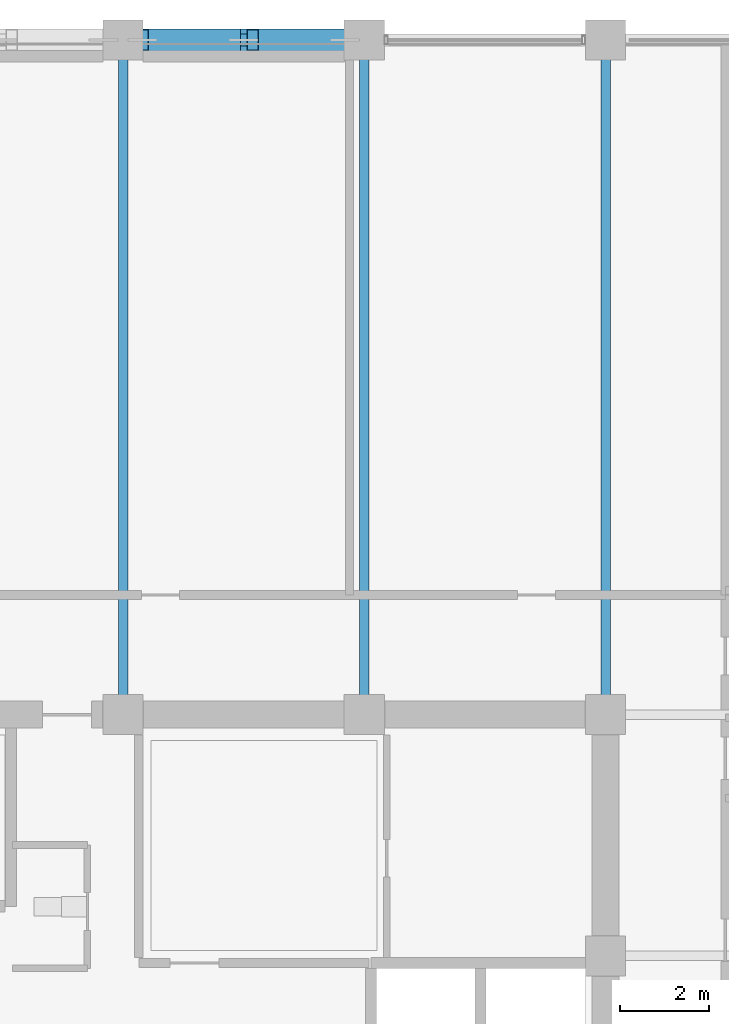
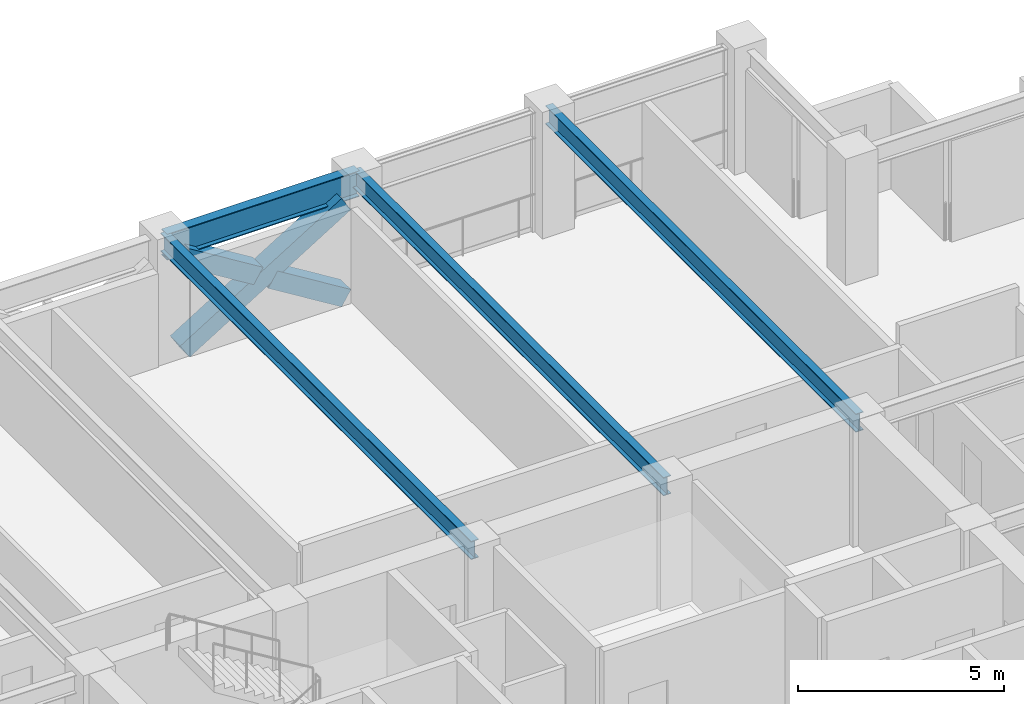
# One storey, part 20 of 36: 4 beams, 3 members.
"""IFC4 building model written with IfcOpenShell, lengths in metres."""

from ifc_helpers import new_model, si_unit, direction, frame, origin, origin_2d, place, context, subcontext, project, spatial, hollow_rectangle, i_section, extrude, material, material_profile, profile_set, type_object, element, save


model = new_model("IFC4")

# Units and contexts
model_context = context("Model", 3, precision=1e-05, world=origin(), true_north=direction((0.0, 1.0)))
body_context = subcontext(model_context, "Body", "Model", "MODEL_VIEW")
ifc_project = project(units=[si_unit("LENGTHUNIT", "METRE"), si_unit("AREAUNIT", "SQUARE_METRE"), si_unit("VOLUMEUNIT", "CUBIC_METRE"), si_unit("PLANEANGLEUNIT", "RADIAN"), si_unit("MASSUNIT", "GRAM", prefix="KILO")], contexts=[model_context])

# Site, building, storey
site_placement = place(None, origin())
site = spatial("IfcSite", under=ifc_project, at=site_placement, CompositionType="ELEMENT")
building_placement = place(site_placement, origin())
building = spatial("IfcBuilding", under=site, at=building_placement, Name="Surkhivell Harbour Commons", CompositionType="ELEMENT")
storey_placement = place(building_placement, frame((0.0, 0.0, 171.0)))
storey = spatial("IfcBuildingStorey", under=building, at=storey_placement, Name="L44", CompositionType="ELEMENT", Elevation=171.0)

# Beams
ifc_material_1 = material(Name="Steel S355", Category="steel")
ifc_material_profile_1 = material_profile(ifc_material_1, i_section(OverallWidth=0.2119140625, OverallDepth=0.5439453125, WebThickness=0.0126953125, FlangeThickness=0.021240234375, at=origin_2d()), Name="UB533x210x122")
ifc_profile_set_1 = profile_set([ifc_material_profile_1], Name="Steel S355")
beam_type_1 = type_object("IfcBeamType", Name="BM-GRD-533A", PredefinedType="BEAM", material=ifc_profile_set_1)
for number, where, z_axis, x_axis, name in (
    (1, (0.0, 10.800048828125, 3.298095703125), (0.0, 1.0, 0.0), (-1.0, 0.0, 0.0), "L44 Floor Girder (0.0,10.8)"),
    (2, (5.39990234375, 10.800048828125, 3.298095703125), (0.0, 1.0, 0.0), (-1.0, 0.0, 0.0), "L44 Floor Girder (5.4,10.8)"),
    (3, (10.800048828125, 10.800048828125, 3.298095703125), (0.0, 1.0, 0.0), (-1.0, 0.0, 0.0), "L44 Floor Girder (10.8,10.8)"),
):
    element("IfcBeam", number, at=place(storey_placement, frame(where, z_axis=z_axis, x_axis=x_axis)), inside=storey, type_object=beam_type_1, Name=name, PredefinedType="BEAM", context=body_context, shape_type="SweptSolid", body=[
        extrude(i_section(OverallWidth=0.2119140625, OverallDepth=0.5439453125, WebThickness=0.0126953125, FlangeThickness=0.021240234375, at=origin_2d()), origin(), (0.0, 0.0, 1.0), 15.099853515625),
    ])
ifc_material_profile_2 = material_profile(ifc_material_1, i_section(OverallWidth=0.26806640625, OverallDepth=0.77001953125, WebThickness=0.015625, FlangeThickness=0.025390625, at=origin_2d()), Name="UB762x267x197")
ifc_profile_set_2 = profile_set([ifc_material_profile_2], Name="Steel S355")
beam_type_2 = type_object("IfcBeamType", Name="BM-SPN-762", PredefinedType="SPANDREL", material=ifc_profile_set_2)
beam_placement = place(storey_placement, frame((0.0, 25.89990234375, 3.18505859375), z_axis=(1.0, 0.0, 0.0), x_axis=(0.0, 1.0, 0.0)))
element("IfcBeam", 4, at=beam_placement, inside=storey, type_object=beam_type_2, Name="L44 Tube Spandrel (-0.0,25.9)", PredefinedType="SPANDREL", context=body_context, shape_type="SweptSolid", body=[
    extrude(i_section(OverallWidth=0.26806640625, OverallDepth=0.77001953125, WebThickness=0.015625, FlangeThickness=0.025390625, at=origin_2d()), origin(), (0.0, 0.0, 1.0), 5.39990234375),
])

# Members
ifc_material_2 = material(Name="Steel S460", Category="steel")
ifc_material_profile_3 = material_profile(ifc_material_2, hollow_rectangle(XDim=0.5, YDim=0.5, WallThickness=0.02490234375, at=origin_2d()), Name="SHS500x500x25")
ifc_profile_set_3 = profile_set([ifc_material_profile_3], Name="Steel S460")
member_type = type_object("IfcMemberType", Name="MEM-BRC-SHS500", PredefinedType="BRACE", material=ifc_profile_set_3)
member_placement = place(storey_placement, frame((0.43505859375, 25.89990234375, 0.008056640625), z_axis=(0.850971032488, 0.0, 0.525212625387), x_axis=(0.0, 1.0, 0.0)))
element("IfcMember", 5, at=member_placement, inside=storey, type_object=member_type, Name="L44 Perimeter Mega-Brace MB- 04", PredefinedType="BRACE", context=body_context, shape_type="SweptSolid", body=[
    extrude(hollow_rectangle(XDim=0.5, YDim=0.5, WallThickness=0.02490234375, at=origin_2d()), origin(), (0.0, 0.0, 1.0), 5.323486328125),
])
for number, where, z_axis, x_axis, name in (
    (6, (4.965087890625, 25.89990234375, 0.008056640625), (-0.8510034189, 0.0, 0.525160147974), (0.0, -1.0, 0.0), "L44 Perimeter Mega-Brace MB- 05"),
    (7, (2.495849609375, 25.89990234375, 1.531982421875), (-0.850958361341, 0.0, 0.525233155146), (0.0, -1.0, 0.0), "L44 Perimeter Mega-Brace MB- 06"),
):
    element("IfcMember", number, at=place(storey_placement, frame(where, z_axis=z_axis, x_axis=x_axis)), inside=storey, type_object=member_type, Name=name, PredefinedType="BRACE", context=body_context, shape_type="SweptSolid", body=[
        extrude(hollow_rectangle(XDim=0.5, YDim=0.5, WallThickness=0.02490234375, at=origin_2d()), origin(), (0.0, 0.0, 1.0), 2.421630859375),
    ])

save(model, "model.ifc")
